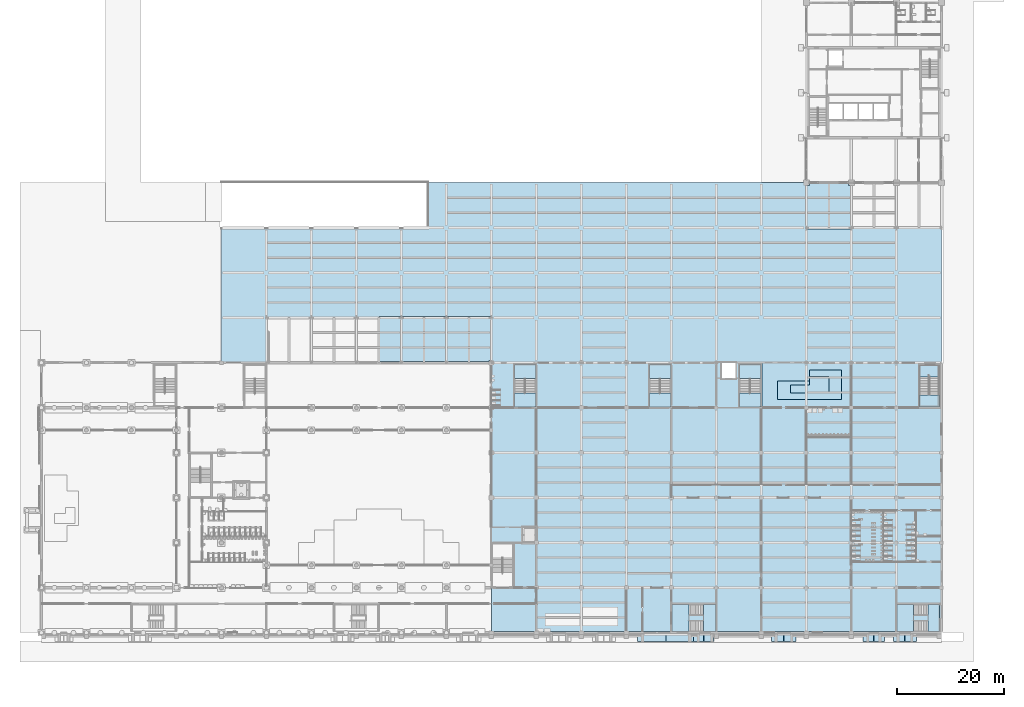
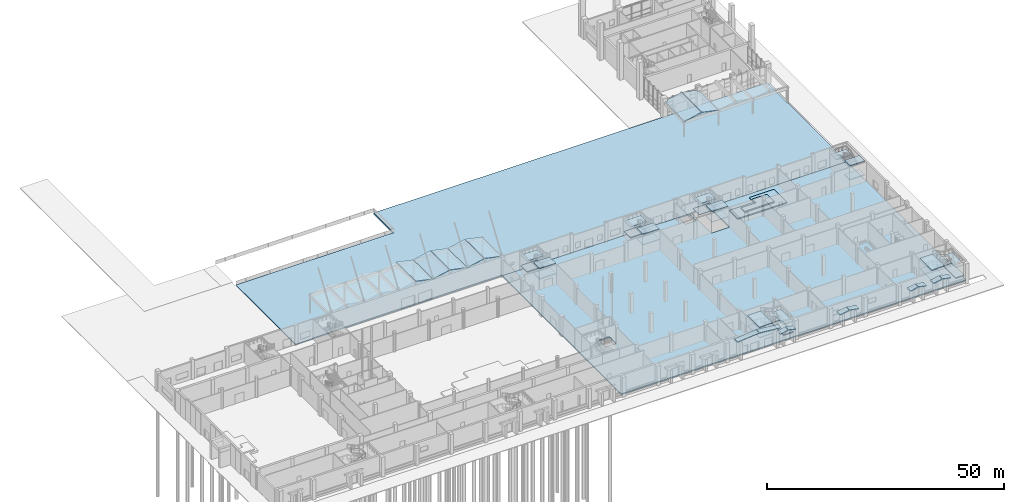
# One storey, part 12 of 74: 44 slabs, 6 elements without a shape of their own.
"""IFC4 building model written with IfcOpenShell, lengths in metres."""

from ifc_helpers import new_model, si_unit, direction, frame, origin, place, context, subcontext, project, spatial, polyline, outline, extrude, material, layer, layer_set, type_object, element, aggregate, save


model = new_model("IFC4")

# Units and contexts
model_context = context("Model", 3, precision=1e-05, world=origin(), true_north=direction((0.0, 1.0)))
body_context = subcontext(model_context, "Body", "Model", "MODEL_VIEW")
ifc_project = project(units=[si_unit("LENGTHUNIT", "METRE"), si_unit("AREAUNIT", "SQUARE_METRE"), si_unit("VOLUMEUNIT", "CUBIC_METRE"), si_unit("PLANEANGLEUNIT", "RADIAN"), si_unit("MASSUNIT", "GRAM", prefix="KILO")], contexts=[model_context])

# Site, building, storey
site_placement = place(None, origin())
site = spatial("IfcSite", under=ifc_project, at=site_placement, CompositionType="ELEMENT")
building_placement = place(site_placement, origin())
building = spatial("IfcBuilding", under=site, at=building_placement, Name="Rulbaag Community and Learning Centre", CompositionType="ELEMENT")
storey_placement = place(building_placement, origin())
storey = spatial("IfcBuildingStorey", under=building, at=storey_placement, Name="L00", CompositionType="ELEMENT", Elevation=0.0)

# Stair, slabs
ifc_material = material(Name="Concrete M40", Category="concrete")
stair_type_1 = type_object("IfcStairType", Name="ST-2000 STAIR 2000 WIDE", PredefinedType="HALF_TURN_STAIR", material=ifc_material)
stair_1_placement = place(storey_placement, origin())
stair_1 = element("IfcStair", 1, at=stair_1_placement, inside=storey, type_object=stair_type_1, Name="Stair ST-H3 L00", PredefinedType="HALF_TURN_STAIR")
ifc_layer_1 = layer(ifc_material, 0.179931640625)
ifc_layer_set_1 = layer_set([ifc_layer_1], Name="LN-180 LANDING 180 Concrete M40")
slab_type_1 = type_object("IfcSlabType", Name="LN-180 LANDING 180 Concrete M40", PredefinedType="LANDING", material=ifc_layer_set_1)
slab_1_placement = place(storey_placement, frame((0.0, 0.0, 1.169921875)))
slab_1 = element("IfcSlab", 2, at=slab_1_placement, type_object=slab_type_1, Name="ST-H3 landing 1", PredefinedType="LANDING", context=body_context, shape_type="SweptSolid", body=[
    extrude(outline(polyline([(130.300048828125, 47.41259765625), (130.300048828125, 50.02490234375), (134.300048828125, 50.02490234375), (134.300048828125, 47.41259765625), (130.300048828125, 47.41259765625)])), origin(), (0.0, 0.0, 1.0), 0.18017578125),
])
slab_2_placement = place(storey_placement, frame((0.0, 0.0, 2.52001953125)))
slab_2 = element("IfcSlab", 3, at=slab_2_placement, type_object=slab_type_1, Name="ST-H3 landing 2", PredefinedType="LANDING", context=body_context, shape_type="SweptSolid", body=[
    extrude(outline(polyline([(130.300048828125, 42.10009765625), (130.300048828125, 44.71240234375), (134.300048828125, 44.71240234375), (134.300048828125, 42.10009765625), (130.300048828125, 42.10009765625)])), origin(), (0.0, 0.0, 1.0), 0.179931640625),
])
slab_3_placement = place(storey_placement, frame((0.0, 0.0, 3.8701171875)))
slab_3 = element("IfcSlab", 4, at=slab_3_placement, type_object=slab_type_1, Name="ST-H3 landing 3", PredefinedType="LANDING", context=body_context, shape_type="SweptSolid", body=[
    extrude(outline(polyline([(130.300048828125, 47.41259765625), (130.300048828125, 50.02490234375), (134.300048828125, 50.02490234375), (134.300048828125, 47.41259765625), (130.300048828125, 47.41259765625)])), origin(), (0.0, 0.0, 1.0), 0.179931640625),
])
slab_4_placement = place(storey_placement, frame((0.0, 0.0, 5.219970703125)))
slab_4 = element("IfcSlab", 5, at=slab_4_placement, type_object=slab_type_1, Name="ST-H3 landing 4", PredefinedType="LANDING", context=body_context, shape_type="SweptSolid", body=[
    extrude(outline(polyline([(130.300048828125, 42.10009765625), (130.300048828125, 44.71240234375), (134.300048828125, 44.71240234375), (134.300048828125, 42.10009765625), (130.300048828125, 42.10009765625)])), origin(), (0.0, 0.0, 1.0), 0.179931640625),
])
aggregate(stair_1, [slab_1, slab_2, slab_3, slab_4])

stair_type_2 = type_object("IfcStairType", Name="ST-1862 STAIR 1862 WIDE", PredefinedType="HALF_TURN_STAIR", material=ifc_material)
stair_2_placement = place(storey_placement, origin())
stair_2 = element("IfcStair", 6, at=stair_2_placement, inside=storey, type_object=stair_type_2, Name="Stair ST-H4 L00", PredefinedType="HALF_TURN_STAIR")
slab_5_placement = place(storey_placement, frame((0.0, 0.0, 1.6201171875)))
slab_5 = element("IfcSlab", 7, at=slab_5_placement, type_object=slab_type_1, Name="ST-H4 landing 1", PredefinedType="LANDING", context=body_context, shape_type="SweptSolid", body=[
    extrude(outline(polyline([(163.89990234375, 42.10009765625), (163.89990234375, 44.41259765625), (167.625, 44.41259765625), (167.625, 42.10009765625), (163.89990234375, 42.10009765625)])), origin(), (0.0, 0.0, 1.0), 0.179931640625),
])
slab_6_placement = place(storey_placement, frame((0.0, 0.0, 3.419921875)))
slab_6 = element("IfcSlab", 8, at=slab_6_placement, type_object=slab_type_1, Name="ST-H4 landing 2", PredefinedType="LANDING", context=body_context, shape_type="SweptSolid", body=[
    extrude(outline(polyline([(163.89990234375, 47.71240234375), (163.89990234375, 50.02490234375), (167.625, 50.02490234375), (167.625, 47.71240234375), (163.89990234375, 47.71240234375)])), origin(), (0.0, 0.0, 1.0), 0.18017578125),
])
slab_7_placement = place(storey_placement, frame((0.0, 0.0, 5.219970703125)))
slab_7 = element("IfcSlab", 9, at=slab_7_placement, type_object=slab_type_1, Name="ST-H4 landing 3", PredefinedType="LANDING", context=body_context, shape_type="SweptSolid", body=[
    extrude(outline(polyline([(163.89990234375, 42.10009765625), (163.89990234375, 44.41259765625), (167.625, 44.41259765625), (167.625, 42.10009765625), (163.89990234375, 42.10009765625)])), origin(), (0.0, 0.0, 1.0), 0.179931640625),
])
aggregate(stair_2, [slab_5, slab_6, slab_7])

stair_3_placement = place(storey_placement, origin())
stair_3 = element("IfcStair", 10, at=stair_3_placement, inside=storey, type_object=stair_type_1, Name="Stair ST-H6 L00", PredefinedType="HALF_TURN_STAIR")
slab_8_placement = place(storey_placement, frame((0.0, 0.0, 1.169921875)))
slab_8 = element("IfcSlab", 11, at=slab_8_placement, type_object=slab_type_1, Name="ST-H6 landing 1", PredefinedType="LANDING", context=body_context, shape_type="SweptSolid", body=[
    extrude(outline(polyline([(88.300048828125, 47.41259765625), (88.300048828125, 50.02490234375), (92.300048828125, 50.02490234375), (92.300048828125, 47.41259765625), (88.300048828125, 47.41259765625)])), origin(), (0.0, 0.0, 1.0), 0.18017578125),
])
slab_9_placement = place(storey_placement, frame((0.0, 0.0, 2.52001953125)))
slab_9 = element("IfcSlab", 12, at=slab_9_placement, type_object=slab_type_1, Name="ST-H6 landing 2", PredefinedType="LANDING", context=body_context, shape_type="SweptSolid", body=[
    extrude(outline(polyline([(88.300048828125, 42.10009765625), (88.300048828125, 44.71240234375), (92.300048828125, 44.71240234375), (92.300048828125, 42.10009765625), (88.300048828125, 42.10009765625)])), origin(), (0.0, 0.0, 1.0), 0.179931640625),
])
slab_10_placement = place(storey_placement, frame((0.0, 0.0, 3.8701171875)))
slab_10 = element("IfcSlab", 13, at=slab_10_placement, type_object=slab_type_1, Name="ST-H6 landing 3", PredefinedType="LANDING", context=body_context, shape_type="SweptSolid", body=[
    extrude(outline(polyline([(88.300048828125, 47.41259765625), (88.300048828125, 50.02490234375), (92.300048828125, 50.02490234375), (92.300048828125, 47.41259765625), (88.300048828125, 47.41259765625)])), origin(), (0.0, 0.0, 1.0), 0.179931640625),
])
slab_11_placement = place(storey_placement, frame((0.0, 0.0, 5.219970703125)))
slab_11 = element("IfcSlab", 14, at=slab_11_placement, type_object=slab_type_1, Name="ST-H6 landing 4", PredefinedType="LANDING", context=body_context, shape_type="SweptSolid", body=[
    extrude(outline(polyline([(88.300048828125, 42.10009765625), (88.300048828125, 44.71240234375), (92.300048828125, 44.71240234375), (92.300048828125, 42.10009765625), (88.300048828125, 42.10009765625)])), origin(), (0.0, 0.0, 1.0), 0.179931640625),
])
aggregate(stair_3, [slab_8, slab_9, slab_10, slab_11])

stair_4_placement = place(storey_placement, origin())
stair_4 = element("IfcStair", 15, at=stair_4_placement, inside=storey, type_object=stair_type_1, Name="Stair ST-H7 L00", PredefinedType="HALF_TURN_STAIR")
slab_12_placement = place(storey_placement, frame((0.0, 0.0, 1.169921875)))
slab_12 = element("IfcSlab", 16, at=slab_12_placement, type_object=slab_type_1, Name="ST-H7 landing 1", PredefinedType="LANDING", context=body_context, shape_type="SweptSolid", body=[
    extrude(outline(polyline([(113.5, 47.41259765625), (113.5, 50.02490234375), (117.5, 50.02490234375), (117.5, 47.41259765625), (113.5, 47.41259765625)])), origin(), (0.0, 0.0, 1.0), 0.18017578125),
])
slab_13_placement = place(storey_placement, frame((0.0, 0.0, 2.52001953125)))
slab_13 = element("IfcSlab", 17, at=slab_13_placement, type_object=slab_type_1, Name="ST-H7 landing 2", PredefinedType="LANDING", context=body_context, shape_type="SweptSolid", body=[
    extrude(outline(polyline([(113.5, 42.10009765625), (113.5, 44.71240234375), (117.5, 44.71240234375), (117.5, 42.10009765625), (113.5, 42.10009765625)])), origin(), (0.0, 0.0, 1.0), 0.179931640625),
])
slab_14_placement = place(storey_placement, frame((0.0, 0.0, 3.8701171875)))
slab_14 = element("IfcSlab", 18, at=slab_14_placement, type_object=slab_type_1, Name="ST-H7 landing 3", PredefinedType="LANDING", context=body_context, shape_type="SweptSolid", body=[
    extrude(outline(polyline([(113.5, 47.41259765625), (113.5, 50.02490234375), (117.5, 50.02490234375), (117.5, 47.41259765625), (113.5, 47.41259765625)])), origin(), (0.0, 0.0, 1.0), 0.179931640625),
])
slab_15_placement = place(storey_placement, frame((0.0, 0.0, 5.219970703125)))
slab_15 = element("IfcSlab", 19, at=slab_15_placement, type_object=slab_type_1, Name="ST-H7 landing 4", PredefinedType="LANDING", context=body_context, shape_type="SweptSolid", body=[
    extrude(outline(polyline([(113.5, 42.10009765625), (113.5, 44.71240234375), (117.5, 44.71240234375), (117.5, 42.10009765625), (113.5, 42.10009765625)])), origin(), (0.0, 0.0, 1.0), 0.179931640625),
])
aggregate(stair_4, [slab_12, slab_13, slab_14, slab_15])

stair_type_3 = type_object("IfcStairType", Name="ST-2100 STAIR 2100 WIDE", PredefinedType="HALF_TURN_STAIR", material=ifc_material)
stair_5_placement = place(storey_placement, origin())
stair_5 = element("IfcStair", 20, at=stair_5_placement, inside=storey, type_object=stair_type_3, Name="Stair ST-H10 L00", PredefinedType="HALF_TURN_STAIR")
slab_16_placement = place(storey_placement, frame((0.0, 0.0, 1.169921875)))
slab_16 = element("IfcSlab", 21, at=slab_16_placement, type_object=slab_type_1, Name="ST-H10 landing 1", PredefinedType="LANDING", context=body_context, shape_type="SweptSolid", body=[
    extrude(outline(polyline([(165.52490234375, 0.22509765625), (167.625, 0.22509765625), (167.625, 5.300048828125), (165.52490234375, 5.300048828125), (165.52490234375, 0.22509765625)])), origin(), (0.0, 0.0, 1.0), 0.18017578125),
])
slab_17_placement = place(storey_placement, frame((0.0, 0.0, 2.52001953125)))
slab_17 = element("IfcSlab", 22, at=slab_17_placement, type_object=slab_type_1, Name="ST-H10 landing 2", PredefinedType="LANDING", context=body_context, shape_type="SweptSolid", body=[
    extrude(outline(polyline([(159.699951171875, 0.22509765625), (162.824951171875, 0.22509765625), (162.824951171875, 5.300048828125), (159.699951171875, 5.300048828125), (159.699951171875, 0.22509765625)])), origin(), (0.0, 0.0, 1.0), 0.179931640625),
])
slab_18_placement = place(storey_placement, frame((0.0, 0.0, 3.8701171875)))
slab_18 = element("IfcSlab", 23, at=slab_18_placement, type_object=slab_type_1, Name="ST-H10 landing 3", PredefinedType="LANDING", context=body_context, shape_type="SweptSolid", body=[
    extrude(outline(polyline([(165.52490234375, 0.22509765625), (167.625, 0.22509765625), (167.625, 5.300048828125), (165.52490234375, 5.300048828125), (165.52490234375, 0.22509765625)])), origin(), (0.0, 0.0, 1.0), 0.179931640625),
])
slab_19_placement = place(storey_placement, frame((0.0, 0.0, 5.219970703125)))
slab_19 = element("IfcSlab", 24, at=slab_19_placement, type_object=slab_type_1, Name="ST-H10 landing 4", PredefinedType="LANDING", context=body_context, shape_type="SweptSolid", body=[
    extrude(outline(polyline([(159.699951171875, 0.22509765625), (162.824951171875, 0.22509765625), (162.824951171875, 5.300048828125), (159.699951171875, 5.300048828125), (159.699951171875, 0.22509765625)])), origin(), (0.0, 0.0, 1.0), 0.179931640625),
])
aggregate(stair_5, [slab_16, slab_17, slab_18, slab_19])

stair_6_placement = place(storey_placement, origin())
stair_6 = element("IfcStair", 25, at=stair_6_placement, inside=storey, type_object=stair_type_3, Name="Stair ST-H11 L00", PredefinedType="HALF_TURN_STAIR")
slab_20_placement = place(storey_placement, frame((0.0, 0.0, 1.169921875)))
slab_20 = element("IfcSlab", 26, at=slab_20_placement, type_object=slab_type_1, Name="ST-H11 landing 1", PredefinedType="LANDING", context=body_context, shape_type="SweptSolid", body=[
    extrude(outline(polyline([(123.60009765625, 0.22509765625), (125.89990234375, 0.22509765625), (125.89990234375, 5.300048828125), (123.60009765625, 5.300048828125), (123.60009765625, 0.22509765625)])), origin(), (0.0, 0.0, 1.0), 0.18017578125),
])
slab_21_placement = place(storey_placement, frame((0.0, 0.0, 2.52001953125)))
slab_21 = element("IfcSlab", 27, at=slab_21_placement, type_object=slab_type_1, Name="ST-H11 landing 2", PredefinedType="LANDING", context=body_context, shape_type="SweptSolid", body=[
    extrude(outline(polyline([(117.699951171875, 0.22509765625), (120.89990234375, 0.22509765625), (120.89990234375, 5.300048828125), (117.699951171875, 5.300048828125), (117.699951171875, 0.22509765625)])), origin(), (0.0, 0.0, 1.0), 0.179931640625),
])
slab_22_placement = place(storey_placement, frame((0.0, 0.0, 3.8701171875)))
slab_22 = element("IfcSlab", 28, at=slab_22_placement, type_object=slab_type_1, Name="ST-H11 landing 3", PredefinedType="LANDING", context=body_context, shape_type="SweptSolid", body=[
    extrude(outline(polyline([(123.60009765625, 0.22509765625), (125.89990234375, 0.22509765625), (125.89990234375, 5.300048828125), (123.60009765625, 5.300048828125), (123.60009765625, 0.22509765625)])), origin(), (0.0, 0.0, 1.0), 0.179931640625),
])
slab_23_placement = place(storey_placement, frame((0.0, 0.0, 5.219970703125)))
slab_23 = element("IfcSlab", 29, at=slab_23_placement, type_object=slab_type_1, Name="ST-H11 landing 4", PredefinedType="LANDING", context=body_context, shape_type="SweptSolid", body=[
    extrude(outline(polyline([(117.699951171875, 0.22509765625), (120.89990234375, 0.22509765625), (120.89990234375, 5.300048828125), (117.699951171875, 5.300048828125), (117.699951171875, 0.22509765625)])), origin(), (0.0, 0.0, 1.0), 0.179931640625),
])
aggregate(stair_6, [slab_20, slab_21, slab_22, slab_23])

# Slabs
ifc_layer_2 = layer(ifc_material, 0.22509765625)
ifc_layer_set_2 = layer_set([ifc_layer_2], Name="PP1 Porch folded plate 225 Concrete M40")
slab_type_2 = type_object("IfcSlabType", Name="PP1 Porch folded plate 225 Concrete M40", PredefinedType="ROOF", material=ifc_layer_set_2)
slab_24_placement = place(storey_placement, frame((63.047119140625, 50.64990234375, 5.789794921875), z_axis=(0.209519074108, 0.009776985038, 0.97775567917), x_axis=(0.0, 0.999950009596, -0.009998915364)))
element("IfcSlab", 30, at=slab_24_placement, inside=storey, type_object=slab_type_2, Name="SL-PORCH-H6", PredefinedType="ROOF", context=body_context, shape_type="SweptSolid", body=[
    extrude(outline(polyline([(0.0, 0.0), (8.350515101871457, 3.469446951953614e-18), (8.359413062443242, -4.24709824547015), (0.008897960571785813, -4.24709824547015), (0.0, 0.0)])), origin(), (0.0, 0.0, -1.0), 0.22509765625),
])
slab_25_placement = place(storey_placement, frame((67.199951171875, 50.64990234375, 4.89990234375), z_axis=(-0.209519074108, 0.009776985038, 0.97775567917), x_axis=(0.0, 0.999950009596, -0.009998915364)))
element("IfcSlab", 31, at=slab_25_placement, inside=storey, type_object=slab_type_2, Name="SL-PORCH-H7", PredefinedType="ROOF", context=body_context, shape_type="SweptSolid", body=[
    extrude(outline(polyline([(0.0, 0.0), (8.350515101871457, -3.469446951953614e-18), (8.34161714129967, -4.24709824547015), (-0.008897960571785813, -4.24709824547015), (0.0, 0.0)])), origin(), (0.0, 0.0, -1.0), 0.22509765625),
])
slab_26_placement = place(storey_placement, frame((71.447021484375, 50.64990234375, 5.789794921875), z_axis=(0.209507298061, 0.009777010268, 0.977758202282), x_axis=(0.0, 0.999950009596, -0.009998915364)))
element("IfcSlab", 32, at=slab_26_placement, inside=storey, type_object=slab_type_2, Name="SL-PORCH-H8", PredefinedType="ROOF", context=body_context, shape_type="SweptSolid", body=[
    extrude(outline(polyline([(0.0, 0.0), (8.350515101871457, 0.0), (8.359413062443242, -4.24733696759458), (0.008897960571785813, -4.24733696759458), (0.0, 0.0)])), origin(), (0.0, 0.0, -1.0), 0.22509765625),
])
slab_27_placement = place(storey_placement, frame((75.60009765625, 50.64990234375, 4.89990234375), z_axis=(-0.209519074108, 0.009776985038, 0.97775567917), x_axis=(0.0, 0.999950009596, -0.009998915364)))
element("IfcSlab", 33, at=slab_27_placement, inside=storey, type_object=slab_type_2, Name="SL-PORCH-H9", PredefinedType="ROOF", context=body_context, shape_type="SweptSolid", body=[
    extrude(outline(polyline([(0.0, 0.0), (8.350515101871457, -3.469446951953614e-18), (8.34161714129967, -4.24709824547015), (-0.008897960571785813, -4.24709824547015), (0.0, 0.0)])), origin(), (0.0, 0.0, -1.0), 0.22509765625),
])
slab_28_placement = place(storey_placement, frame((79.84716796875, 50.64990234375, 5.789794921875), z_axis=(0.209513479477, 0.009778640118, 0.977756861451), x_axis=(-3.44267e-07, 0.99994999353, -0.01000052199)))
element("IfcSlab", 34, at=slab_28_placement, inside=storey, type_object=slab_type_2, Name="SL-PORCH-H10", PredefinedType="ROOF", context=body_context, shape_type="SweptSolid", body=[
    extrude(outline(polyline([(0.0, 0.0), (8.350515101860182, 3.469446951953614e-18), (8.359413062471887, -4.24709824540063), (0.20910279432024256, -4.247088040287444), (0.2081385434166093, -3.786919656317426), (0.007933709708070185, -3.7869298614306115), (0.0, 0.0)])), origin(), (0.0, 0.0, -1.0), 0.22509765625),
])
slab_29_placement = place(storey_placement, frame((146.952880859375, 83.824951171875, 4.989990234375), z_axis=(-0.209535062254, -0.009804093659, 0.977751981554), x_axis=(1.65648e-07, -0.999949731992, -0.010026638966)))
element("IfcSlab", 35, at=slab_29_placement, inside=storey, type_object=slab_type_2, Name="SL-PORCH-T1", PredefinedType="ROOF", context=body_context, shape_type="SweptSolid", body=[
    extrude(outline(polyline([(0.0, 0.0), (8.425472294530438, 0.0), (8.434394238222072, -4.247098194584453), (0.3839422597471212, -4.2471288608620155), (0.3827600103779943, -3.68458337663369), (0.007739694322506077, -3.6845527103561264), (0.0, 0.0)])), origin(), (0.0, 0.0, -1.0), 0.22509765625),
])
slab_30_placement = place(storey_placement, frame((151.199951171875, 75.39990234375, 4.015625), z_axis=(0.209535062254, -0.009804093659, 0.977751981554), x_axis=(-0.977798976156, -1.60866e-07, 0.20954513172)))
element("IfcSlab", 36, at=slab_30_placement, inside=storey, type_object=slab_type_2, Name="SL-PORCH-T2", PredefinedType="ROOF", context=body_context, shape_type="SweptSolid", body=[
    extrude(outline(polyline([(0.0, 0.0), (4.2471075658054325, 3.469446951953614e-18), (4.264807044385264, -8.425453703769191), (0.5802462051181702, -8.425454205293315), (0.5794277297720014, -8.050434781139197), (0.016881003233662848, -8.050434279615073), (0.0, 0.0)])), origin(), (0.0, 0.0, -1.0), 0.22509765625),
])
ifc_layer_3 = layer(ifc_material, 0.199951171875)
ifc_layer_set_3 = layer_set([ifc_layer_3], Name="PP2 Portal folded lintel 200 Concrete M40")
slab_type_3 = type_object("IfcSlabType", Name="PP2 Portal folded lintel 200 Concrete M40", PredefinedType="ROOF", material=ifc_layer_set_3)
for number, where, z_axis, x_axis, name in (
    (37, (111.300048828125, -0.22509765625, 4.89990234375), (-0.093496805104, 0.0, 0.995619579677), (0.995619579677, 0.0, 0.093496805104), "Portal folded lintel"),
    (38, (116.643798828125, -0.22509765625, 5.398193359375), (0.093496805104, 0.0, 0.995619579677), (0.995619579677, 0.0, -0.093496805104), "Portal folded lintel"),
):
    element("IfcSlab", number, at=place(storey_placement, frame(where, z_axis=z_axis, x_axis=x_axis)), inside=storey, type_object=slab_type_3, Name=name, PredefinedType="ROOF", context=body_context, shape_type="SweptSolid", body=[
        extrude(outline(polyline([(0.0, 0.0), (5.329497784157173, 0.0), (5.329497784157173, -1.39990234375), (0.0, -1.39990234375), (0.0, 0.0)])), origin(), (0.0, 0.0, -1.0), 0.199951171875),
    ])
slab_31_placement = place(storey_placement, frame((121.75, -0.22509765625, 3.300048828125), z_axis=(-0.204422742288, 0.0, 0.978882701061), x_axis=(0.978882701061, 0.0, 0.204422742288)))
element("IfcSlab", 39, at=slab_31_placement, inside=storey, type_object=slab_type_3, Name="Portal folded lintel", PredefinedType="ROOF", context=body_context, shape_type="SweptSolid", body=[
    extrude(outline(polyline([(0.0, 0.0), (1.9144514817450882, 0.0), (1.9144514817450882, -1.3999023437500002), (0.0, -1.3999023437500002), (0.0, 0.0)])), origin(), (0.0, 0.0, -1.0), 0.199951171875),
])
slab_32_placement = place(storey_placement, frame((123.705810546875, -0.22509765625, 3.69140625), z_axis=(0.204397226879, 0.0, 0.978888029166), x_axis=(0.978888029166, 0.0, -0.204397226879)))
element("IfcSlab", 40, at=slab_32_placement, inside=storey, type_object=slab_type_3, Name="Portal folded lintel", PredefinedType="ROOF", context=body_context, shape_type="SweptSolid", body=[
    extrude(outline(polyline([(0.0, 0.0), (1.914690467429971, 0.0), (1.914690467429971, -1.39990234375), (0.0, -1.39990234375), (0.0, 0.0)])), origin(), (0.0, 0.0, -1.0), 0.199951171875),
])
for number, where, z_axis, x_axis, name in (
    (41, (136.300048828125, -0.22509765625, 3.199951171875), (-0.171350135451, 0.0, 0.985210196395), (0.985210196395, 0.0, 0.171350135451), "Portal folded lintel"),
    (42, (138.63427734375, -0.22509765625, 3.593994140625), (0.171350135451, 0.0, 0.985210196395), (0.985210196395, 0.0, -0.171350135451), "Portal folded lintel"),
):
    element("IfcSlab", number, at=place(storey_placement, frame(where, z_axis=z_axis, x_axis=x_axis)), inside=storey, type_object=slab_type_3, Name=name, PredefinedType="ROOF", context=body_context, shape_type="SweptSolid", body=[
        extrude(outline(polyline([(0.0, 0.0), (2.2996361672765353, 0.0), (2.2996361672765353, -1.39990234375), (0.0, -1.39990234375), (0.0, 0.0)])), origin(), (0.0, 0.0, -1.0), 0.199951171875),
    ])
slab_33_placement = place(storey_placement, frame((153.39990234375, -0.22509765625, 3.300048828125), z_axis=(-0.196069178984, 0.0, 0.980590065753), x_axis=(0.980590065753, 0.0, 0.196069178984)))
element("IfcSlab", 43, at=slab_33_placement, inside=storey, type_object=slab_type_3, Name="Portal folded lintel", PredefinedType="ROOF", context=body_context, shape_type="SweptSolid", body=[
    extrude(outline(polyline([(0.0, 0.0), (1.9997525658136184, 0.0), (1.9997525658136184, -1.39990234375), (0.0, -1.39990234375), (0.0, 0.0)])), origin(), (0.0, 0.0, -1.0), 0.199951171875),
])
slab_34_placement = place(storey_placement, frame((155.439208984375, -0.22509765625, 3.692138671875), z_axis=(0.196092654306, 0.0, 0.980585371565), x_axis=(0.980585371565, 0.0, -0.196092654306)))
element("IfcSlab", 44, at=slab_34_placement, inside=storey, type_object=slab_type_3, Name="Portal folded lintel", PredefinedType="ROOF", context=body_context, shape_type="SweptSolid", body=[
    extrude(outline(polyline([(0.0, 0.0), (1.9995131645150832, 0.0), (1.9995131645150832, -1.39990234375), (0.0, -1.39990234375), (0.0, 0.0)])), origin(), (0.0, 0.0, -1.0), 0.199951171875),
])
slab_35_placement = place(storey_placement, frame((159.050048828125, -0.22509765625, 3.300048828125), z_axis=(-0.182861961965, 0.0, 0.983138597994), x_axis=(0.983138597994, 0.0, 0.182861961965)))
element("IfcSlab", 45, at=slab_35_placement, inside=storey, type_object=slab_type_3, Name="Portal folded lintel", PredefinedType="ROOF", context=body_context, shape_type="SweptSolid", body=[
    extrude(outline(polyline([(0.0, 0.0), (2.14952525952217, 0.0), (2.14952525952217, -1.39990234375), (0.0, -1.39990234375), (0.0, 0.0)])), origin(), (0.0, 0.0, -1.0), 0.199951171875),
])
slab_36_placement = place(storey_placement, frame((161.236572265625, -0.22509765625, 3.693115234375), z_axis=(0.182841545151, 0.0, 0.983142395265), x_axis=(0.983142395265, 0.0, -0.182841545151)))
element("IfcSlab", 46, at=slab_36_placement, inside=storey, type_object=slab_type_3, Name="Portal folded lintel", PredefinedType="ROOF", context=body_context, shape_type="SweptSolid", body=[
    extrude(outline(polyline([(0.0, 0.0), (2.149765284057506, 0.0), (2.149765284057506, -1.39990234375), (0.0, -1.39990234375), (0.0, 0.0)])), origin(), (0.0, 0.0, -1.0), 0.199951171875),
])
ifc_layer_4 = layer(ifc_material, 0.22509765625)
ifc_layer_set_4 = layer_set([ifc_layer_4], Name="S14 Raked floor tier 225 Concrete M40")
slab_type_4 = type_object("IfcSlabType", Name="S14 Raked floor tier 225 Concrete M40", PredefinedType="USERDEFINED", material=ifc_layer_set_4)
slab_37_placement = place(storey_placement, origin())
element("IfcSlab", 47, at=slab_37_placement, inside=storey, type_object=slab_type_4, Name="SL-PLAT-PLAY-1", ObjectType="RAISED PLATFORM", PredefinedType="USERDEFINED", context=body_context, shape_type="SweptSolid", body=[
    extrude(outline(polyline([(137.39990234375, 43.5), (149.39990234375, 43.5), (149.39990234375, 49.0), (143.39990234375, 49.0), (143.39990234375, 47.0), (137.39990234375, 47.0), (137.39990234375, 43.5)])), origin(), (0.0, 0.0, 1.0), 0.22509765625),
])
ifc_layer_5 = layer(ifc_material, 0.300048828125)
ifc_layer_set_5 = layer_set([ifc_layer_5], Name="S15 Raised platform, library and control room 300 Concrete M40")
slab_type_5 = type_object("IfcSlabType", Name="S15 Raised platform, library and control room 300 Concrete M40", PredefinedType="USERDEFINED", material=ifc_layer_set_5)
slab_38_placement = place(storey_placement, frame((0.0, 0.0, 0.22509765625)))
element("IfcSlab", 48, at=slab_38_placement, inside=storey, type_object=slab_type_5, Name="SL-PLAT-PLAY-2", ObjectType="RAISED PLATFORM", PredefinedType="USERDEFINED", context=body_context, shape_type="SweptSolid", body=[
    extrude(outline(polyline([(139.800048828125, 44.699951171875), (147.0, 44.699951171875), (147.0, 47.800048828125), (143.39990234375, 47.800048828125), (143.39990234375, 46.199951171875), (139.800048828125, 46.199951171875), (139.800048828125, 44.699951171875)])), origin(), (0.0, 0.0, 1.0), 0.2998046875),
])
ifc_layer_6 = layer(ifc_material, 0.300048828125)
ifc_layer_set_6 = layer_set([ifc_layer_6], Name="S5 Floor slab 300 Concrete M40")
slab_type_6 = type_object("IfcSlabType", Name="S5 Floor slab 300 Concrete M40", PredefinedType="FLOOR", material=ifc_layer_set_6)
slab_39_placement = place(storey_placement, frame((0.0, 0.0, -0.300048828125)))
element("IfcSlab", 49, at=slab_39_placement, inside=storey, type_object=slab_type_6, Name="SL-L00-AS01", PredefinedType="FLOOR", context=body_context, shape_type="SweptSolid", body=[
    extrude(outline(polyline([(168.033447265625, 0.21484375), (168.0322265625, 0.211669921875), (168.031005859375, 0.20849609375), (168.029052734375, 0.20556640625), (168.027099609375, 0.202880859375), (168.024658203125, 0.2001953125), (168.0244140625, 0.199951171875), (83.9755859375, 0.199951171875), (83.975341796875, 0.2001953125), (83.972900390625, 0.202880859375), (83.970947265625, 0.20556640625), (83.968994140625, 0.20849609375), (83.9677734375, 0.211669921875), (83.966552734375, 0.21484375), (83.9658203125, 0.21826171875), (83.965087890625, 0.2216796875), (83.965087890625, 0.22412109375), (84.0, 0.22412109375), (84.0, 0.22412109375), (84.000244140625, 0.22412109375), (84.000244140625, 0.22412109375), (84.00048828125, 0.22412109375), (84.00048828125, 0.22412109375), (84.00048828125, 0.22412109375), (84.00048828125, 0.22412109375), (84.000732421875, 0.224365234375), (84.000732421875, 0.224365234375), (84.000732421875, 0.224365234375), (84.0009765625, 0.224609375), (84.0009765625, 0.224609375), (84.0009765625, 0.224609375), (84.0009765625, 0.224853515625), (84.0009765625, 0.224853515625), (84.0009765625, 0.22509765625), (84.0, 0.22509765625), (84.0, 50.4599609375), (84.06005859375, 50.4599609375), (84.06005859375, 50.39990234375), (127.0, 50.39990234375), (127.0, 47.5), (129.60009765625, 47.5), (129.60009765625, 50.39990234375), (130.10009765625, 50.39990234375), (130.10009765625, 41.89990234375), (134.5, 41.89990234375), (134.5, 50.39990234375), (168.0, 50.39990234375), (168.0, 0.235107421875), (168.034912109375, 0.235107421875), (168.034912109375, 0.22509765625), (168.034912109375, 0.2216796875), (168.0341796875, 0.21826171875), (168.033447265625, 0.21484375)]), holes=[polyline([(92.39990234375, 19.699951171875), (89.800048828125, 19.699951171875), (89.800048828125, 16.800048828125), (92.39990234375, 16.800048828125), (92.39990234375, 19.699951171875)])]), origin(), (0.0, 0.0, 1.0), 0.300048828125),
])
ifc_layer_7 = layer(ifc_material, 0.300048828125)
ifc_layer_set_7 = layer_set([ifc_layer_7], Name="S7 Roof slab 300 Concrete M40")
slab_type_7 = type_object("IfcSlabType", Name="S7 Roof slab 300 Concrete M40", PredefinedType="ROOF", material=ifc_layer_set_7)
slab_40_placement = place(storey_placement, frame((0.0, 0.0, -0.300048828125)))
element("IfcSlab", 50, at=slab_40_placement, inside=storey, type_object=slab_type_7, Name="SL-L00-CS01", PredefinedType="ROOF", context=body_context, shape_type="SweptSolid", body=[
    extrude(outline(polyline([(72.0, 84.0), (168.0, 84.0), (168.0, 50.39990234375), (134.5, 50.39990234375), (134.5, 50.5), (130.10009765625, 50.5), (130.10009765625, 50.39990234375), (129.60009765625, 50.39990234375), (127.0, 50.39990234375), (84.06005859375, 50.39990234375), (84.06005859375, 50.4599609375), (84.0, 50.4599609375), (84.0, 50.64990234375), (42.0, 50.64990234375), (42.0, 50.5), (37.699951171875, 50.5), (37.699951171875, 50.39990234375), (33.60009765625, 50.39990234375), (33.60009765625, 75.60009765625), (72.0, 75.60009765625), (72.0, 84.0)])), origin(), (0.0, 0.0, 1.0), 0.300048828125),
])

save(model, "model.ifc")
